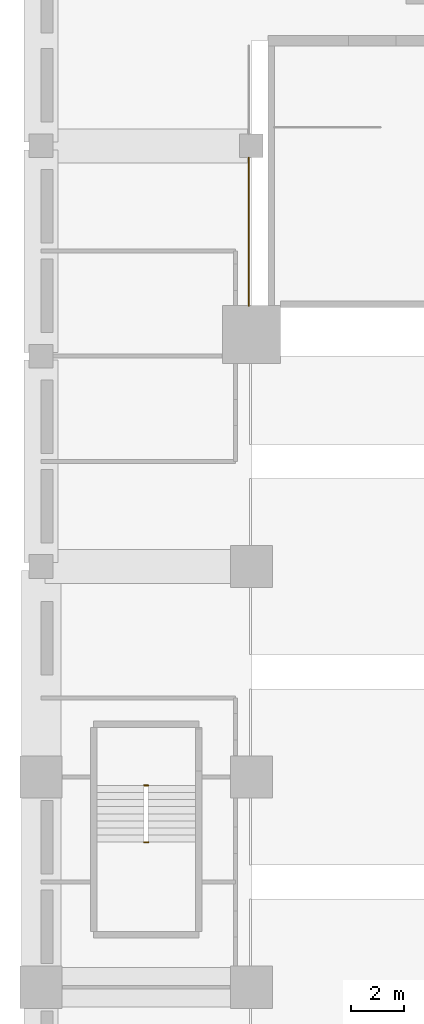
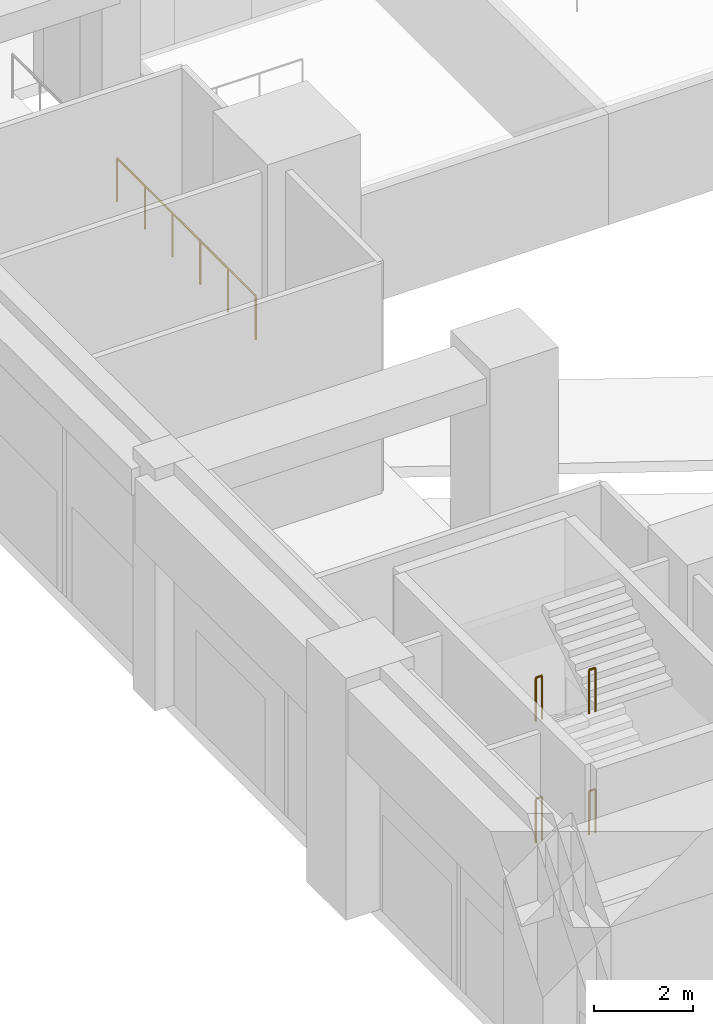
# One storey, part 19 of 28: 5 railings.
"""IFC4 building model written with IfcOpenShell, lengths in metres."""

from ifc_helpers import new_model, si_unit, direction, frame, origin, origin_2d, place, context, subcontext, project, spatial, circle, extrude, material, type_object, element, save


model = new_model("IFC4")

# Units and contexts
model_context = context("Model", 3, precision=1e-05, world=origin(), true_north=direction((0.0, 1.0)))
body_context = subcontext(model_context, "Body", "Model", "MODEL_VIEW")
ifc_project = project(units=[si_unit("LENGTHUNIT", "METRE"), si_unit("AREAUNIT", "SQUARE_METRE"), si_unit("VOLUMEUNIT", "CUBIC_METRE"), si_unit("PLANEANGLEUNIT", "RADIAN"), si_unit("MASSUNIT", "GRAM", prefix="KILO")], contexts=[model_context])

# Site, building, storey
site_placement = place(None, origin())
site = spatial("IfcSite", under=ifc_project, at=site_placement, CompositionType="ELEMENT")
building_placement = place(site_placement, origin())
building = spatial("IfcBuilding", under=site, at=building_placement, Name="Isbrekke Arena Tower", CompositionType="ELEMENT")
storey_placement = place(building_placement, origin())
storey = spatial("IfcBuildingStorey", under=building, at=storey_placement, Name="L00", CompositionType="ELEMENT", Elevation=0.0)

# Railings
ifc_material_1 = material(Name="Laminated glass balustrade, steel handrail", Category="steel")
railing_type_1 = type_object("IfcRailingType", Name="GR1 GUARD 1100 GLASS BALUSTRADE", PredefinedType="BALUSTRADE", material=ifc_material_1)
railing_placement = place(storey_placement, frame((-48.10009765625, -10.449951171875, 0.0)))
element("IfcRailing", 1, at=railing_placement, inside=storey, type_object=railing_type_1, Name="GR1 concourse edge guard W2 L00", PredefinedType="BALUSTRADE", context=body_context, shape_type="SweptSolid", body=[
    extrude(circle(Radius=0.02392578125, at=origin_2d()), frame((0.0, 0.0, 1.076171875), z_axis=(0.0, -1.0, 0.0), x_axis=(1.0, 0.0, 0.0)), (0.0, 0.0, 1.0), 5.625),
    extrude(circle(Radius=0.02099609375, at=origin_2d()), origin(), (0.0, 0.0, 1.0), 1.052001953125),
    extrude(circle(Radius=0.02099609375, at=origin_2d()), frame((0.0, -1.125, 0.0)), (0.0, 0.0, 1.0), 1.052001953125),
    extrude(circle(Radius=0.02099609375, at=origin_2d()), frame((0.0, -2.25, 0.0)), (0.0, 0.0, 1.0), 1.052001953125),
    extrude(circle(Radius=0.02099609375, at=origin_2d()), frame((0.0, -3.375, 0.0)), (0.0, 0.0, 1.0), 1.052001953125),
    extrude(circle(Radius=0.02099609375, at=origin_2d()), frame((0.0, -4.5, 0.0)), (0.0, 0.0, 1.0), 1.052001953125),
    extrude(circle(Radius=0.02099609375, at=origin_2d()), frame((0.0, -5.625, 0.0)), (0.0, 0.0, 1.0), 1.052001953125),
])
ifc_material_2 = material(Name="Steel stair guard, vertical bars, steel handrail", Category="steel")
railing_type_2 = type_object("IfcRailingType", Name="GR3 STAIR WELL GUARD 1100", PredefinedType="GUARDRAIL", material=ifc_material_2)
for number, where, name in (
    (2, (-52.074951171875, -34.324951171875, 0.0), "GR3 stair well guard P4 L00"),
    (3, (-52.074951171875, -36.485107421875, 1.5), "GR3 stair well guard P4 L00"),
    (4, (-52.074951171875, -34.324951171875, 3.0), "GR3 stair well guard P4 L00"),
    (5, (-52.074951171875, -36.485107421875, 4.5), "GR3 stair well guard P4 L00"),
):
    element("IfcRailing", number, at=place(storey_placement, frame(where)), inside=storey, type_object=railing_type_2, Name=name, PredefinedType="GUARDRAIL", context=body_context, shape_type="SweptSolid", body=[
        extrude(circle(Radius=0.02392578125, at=origin_2d()), frame((0.0, 0.0, 1.076171875), z_axis=(1.0, 0.0, 0.0), x_axis=(0.0, 1.0, 0.0)), (0.0, 0.0, 1.0), 0.14990234375),
        extrude(circle(Radius=0.02099609375, at=origin_2d()), origin(), (0.0, 0.0, 1.0), 1.052001953125),
        extrude(circle(Radius=0.02099609375, at=origin_2d()), frame((0.14990234375, 0.0, 0.0)), (0.0, 0.0, 1.0), 1.052001953125),
    ])

save(model, "model.ifc")
